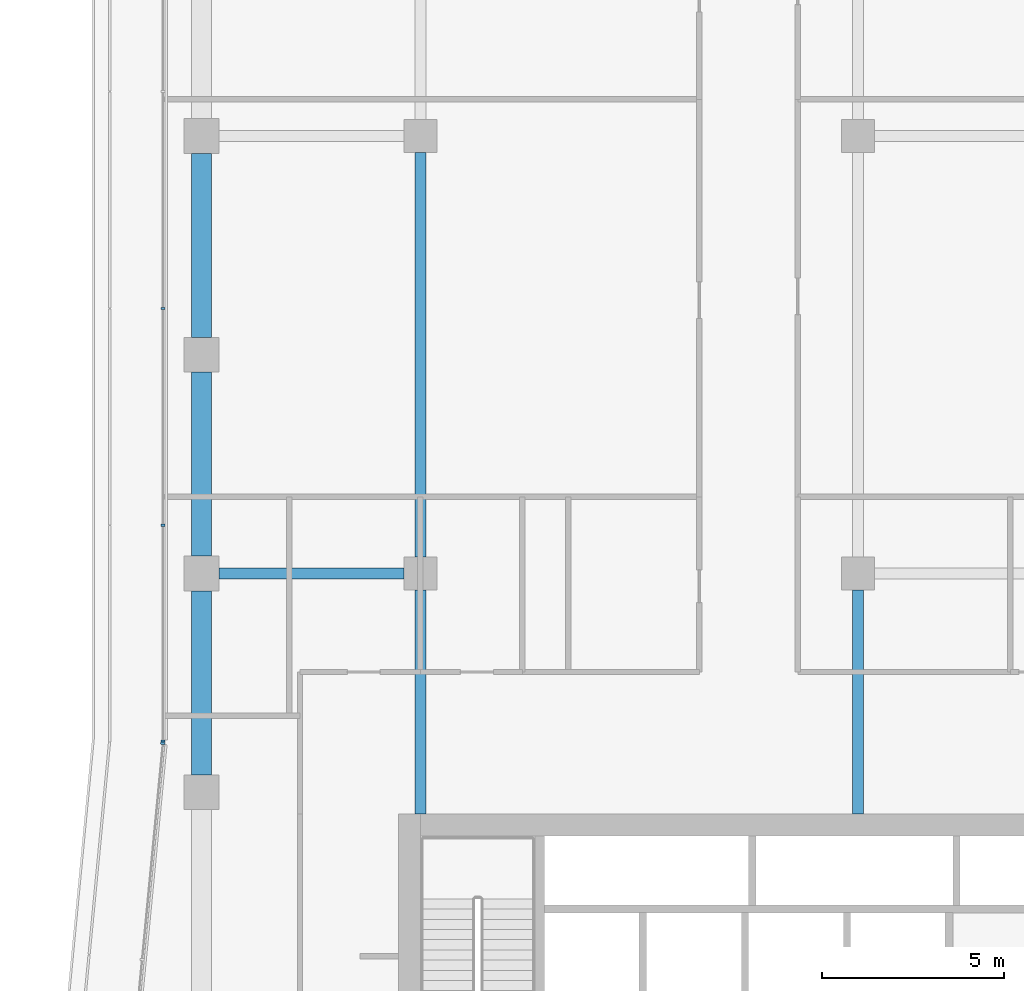
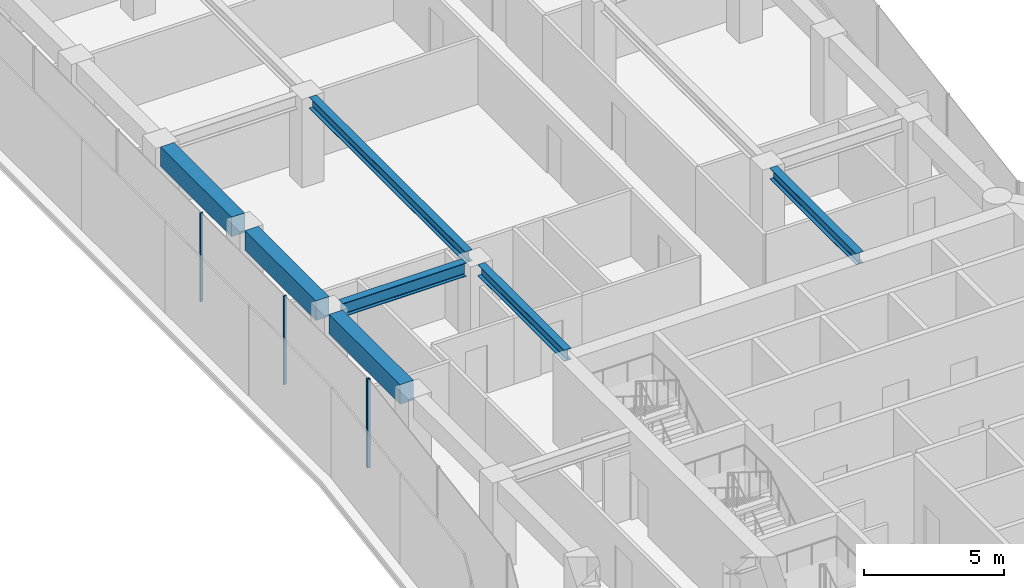
# One storey, part 8 of 23: 7 beams, 4 members, 2 elements without a shape of their own.
"""IFC4 building model written with IfcOpenShell, lengths in metres."""

from ifc_helpers import new_model, si_unit, direction, frame, origin, origin_2d, place, context, subcontext, project, spatial, rectangle, i_section, extrude, material, layer, layer_set, material_profile, profile_set, type_object, element, aggregate, save


model = new_model("IFC4")

# Units and contexts
model_context = context("Model", 3, precision=1e-05, world=origin(), true_north=direction((0.0, 1.0)))
body_context = subcontext(model_context, "Body", "Model", "MODEL_VIEW")
ifc_project = project(units=[si_unit("LENGTHUNIT", "METRE"), si_unit("AREAUNIT", "SQUARE_METRE"), si_unit("VOLUMEUNIT", "CUBIC_METRE"), si_unit("PLANEANGLEUNIT", "RADIAN"), si_unit("MASSUNIT", "GRAM", prefix="KILO")], contexts=[model_context])

# Site, building, storey
site_placement = place(None, origin())
site = spatial("IfcSite", under=ifc_project, at=site_placement, CompositionType="ELEMENT")
building_placement = place(site_placement, origin())
building = spatial("IfcBuilding", under=site, at=building_placement, Name="Welwitschia Terrace Campus", CompositionType="ELEMENT")
storey_placement = place(building_placement, frame((0.0, 0.0, 146.60009765625)))
storey = spatial("IfcBuildingStorey", under=building, at=storey_placement, Name="L32", CompositionType="ELEMENT", Elevation=146.60009765625)

# Beams
ifc_material_1 = material(Name="Steel S355", Category="steel")
ifc_material_profile_1 = material_profile(ifc_material_1, i_section(OverallWidth=0.300048828125, OverallDepth=0.489990234375, WebThickness=0.011962890625, FlangeThickness=0.02294921875, FilletRadius=0.027099609375, at=origin_2d()))
ifc_profile_set_1 = profile_set([ifc_material_profile_1], Name="Steel S355")
beam_type_1 = type_object("IfcBeamType", Name="Interior girder HE 500 A", PredefinedType="BEAM", material=ifc_profile_set_1)
beam_1_placement = place(storey_placement, frame((6.0, 25.40087890625, 3.60498046875), z_axis=(0.0, 1.0, 0.0), x_axis=(-1.0, 0.0, 0.0)))
element("IfcBeam", 1, at=beam_1_placement, inside=storey, type_object=beam_type_1, Name="Girder GB4", PredefinedType="BEAM", context=body_context, shape_type="SweptSolid", body=[
    extrude(i_section(OverallWidth=0.300048828125, OverallDepth=0.489990234375, WebThickness=0.011962890625, FlangeThickness=0.02294921875, FilletRadius=0.027099609375, at=origin_2d()), origin(), (0.0, 0.0, 1.0), 6.148681640625),
])
beam_2_placement = place(storey_placement, frame((6.0, 32.450439453125, 3.60498046875), z_axis=(0.0, 1.0, 0.0), x_axis=(-1.0, 0.0, 0.0)))
element("IfcBeam", 2, at=beam_2_placement, inside=storey, type_object=beam_type_1, Name="Girder GB4", PredefinedType="BEAM", context=body_context, shape_type="SweptSolid", body=[
    extrude(i_section(OverallWidth=0.300048828125, OverallDepth=0.489990234375, WebThickness=0.011962890625, FlangeThickness=0.02294921875, FilletRadius=0.027099609375, at=origin_2d()), origin(), (0.0, 0.0, 1.0), 11.09912109375),
])
beam_3_placement = place(storey_placement, frame((18.0, 25.40087890625, 3.60498046875), z_axis=(0.0, 1.0, 0.0), x_axis=(-1.0, 0.0, 0.0)))
element("IfcBeam", 3, at=beam_3_placement, inside=storey, type_object=beam_type_1, Name="Girder GB4", PredefinedType="BEAM", context=body_context, shape_type="SweptSolid", body=[
    extrude(i_section(OverallWidth=0.300048828125, OverallDepth=0.489990234375, WebThickness=0.011962890625, FlangeThickness=0.02294921875, FilletRadius=0.027099609375, at=origin_2d()), origin(), (0.0, 0.0, 1.0), 6.148681640625),
])

# Curtain wall, members
ifc_material_2 = material(Name="Bronze anodised aluminium", Category="aluminium")
ifc_layer = layer(ifc_material_2, 0.1201171875)
ifc_layer_set = layer_set([ifc_layer], Name="Bronze anodised aluminium")
curtain_wall_type = type_object("IfcCurtainWallType", Name="Curtain wall CW2 tower 6000", PredefinedType="NOTDEFINED", material=ifc_layer_set)
curtain_wall_1_placement = place(storey_placement, origin())
curtain_wall_1 = element("IfcCurtainWall", 4, at=curtain_wall_1_placement, inside=storey, type_object=curtain_wall_type, Name="CW L32.0.0", PredefinedType="NOTDEFINED")
ifc_material_3 = material(Name="Bronze anodised aluminium", Category="aluminium")
ifc_material_profile_2 = material_profile(ifc_material_3, rectangle(XDim=0.1201171875, YDim=0.06005859375, at=origin_2d()))
ifc_profile_set_2 = profile_set([ifc_material_profile_2], Name="Bronze anodised aluminium")
member_type = type_object("IfcMemberType", Name="Mullion 60x120", PredefinedType="MULLION", material=ifc_profile_set_2)
member_1_placement = place(storey_placement, frame((-1.05810546875, 39.269287109375, 0.0), z_axis=(0.0, 0.0, 1.0), x_axis=(1.0, 0.0, 0.0)))
member_1 = element("IfcMember", 5, at=member_1_placement, type_object=member_type, Name="Mullion L32.0.0.4", PredefinedType="MULLION", context=body_context, shape_type="SweptSolid", body=[
    extrude(rectangle(XDim=0.1201171875, YDim=0.06005859375, at=origin_2d()), origin(), (0.0, 0.0, 1.0), 3.849853515625),
])
member_2_placement = place(storey_placement, frame((-1.05810546875, 33.322021484375, 0.0), z_axis=(0.0, 0.0, 1.0), x_axis=(1.0, 0.0, 0.0)))
member_2 = element("IfcMember", 6, at=member_2_placement, type_object=member_type, Name="Mullion L32.0.0.5", PredefinedType="MULLION", context=body_context, shape_type="SweptSolid", body=[
    extrude(rectangle(XDim=0.1201171875, YDim=0.06005859375, at=origin_2d()), origin(), (0.0, 0.0, 1.0), 3.849853515625),
])
member_3_placement = place(storey_placement, frame((-1.05810546875, 27.40478515625, 0.0), z_axis=(0.0, 0.0, 1.0), x_axis=(1.0, 0.0, 0.0)))
member_3 = element("IfcMember", 7, at=member_3_placement, type_object=member_type, Name="Mullion L32.0.0.6", PredefinedType="MULLION", context=body_context, shape_type="SweptSolid", body=[
    extrude(rectangle(XDim=0.1201171875, YDim=0.06005859375, at=origin_2d()), origin(), (0.0, 0.0, 1.0), 3.849853515625),
])
aggregate(curtain_wall_1, [member_1, member_2, member_3])

# Curtain wall, member
curtain_wall_2_placement = place(storey_placement, origin())
curtain_wall_2 = element("IfcCurtainWall", 8, at=curtain_wall_2_placement, inside=storey, type_object=curtain_wall_type, Name="CW L32.1.0", PredefinedType="NOTDEFINED")
member_4_placement = place(storey_placement, frame((-1.060791015625, 27.344970703125, 0.0), z_axis=(0.0, 0.0, 1.0), x_axis=(0.995396198367, -0.09584575252, 0.0)))
member_4 = element("IfcMember", 9, at=member_4_placement, type_object=member_type, Name="Mullion L32.1.0.0", PredefinedType="MULLION", context=body_context, shape_type="SweptSolid", body=[
    extrude(rectangle(XDim=0.1201171875, YDim=0.06005859375, at=origin_2d()), origin(), (0.0, 0.0, 1.0), 3.849853515625),
])
aggregate(curtain_wall_2, [member_4])

# Beams
ifc_material_4 = material(Name="Steel S355", Category="steel")
ifc_material_profile_3 = material_profile(ifc_material_4, i_section(OverallWidth=0.300048828125, OverallDepth=0.590087890625, WebThickness=0.012939453125, FlangeThickness=0.02490234375, FilletRadius=0.027099609375, at=origin_2d()))
ifc_profile_set_3 = profile_set([ifc_material_profile_3], Name="Steel S355")
beam_type_2 = type_object("IfcBeamType", Name="Primary beam HE 600 A", PredefinedType="BEAM", material=ifc_profile_set_3)
beam_4_placement = place(storey_placement, frame((0.4755859375, 32.0, 3.554931640625), z_axis=(1.0, 0.0, 0.0), x_axis=(0.0, 1.0, 0.0)))
element("IfcBeam", 10, at=beam_4_placement, inside=storey, type_object=beam_type_2, Name="Primary beam PB4", PredefinedType="BEAM", context=body_context, shape_type="SweptSolid", body=[
    extrude(i_section(OverallWidth=0.300048828125, OverallDepth=0.590087890625, WebThickness=0.012939453125, FlangeThickness=0.02490234375, FilletRadius=0.027099609375, at=origin_2d()), origin(), (0.0, 0.0, 1.0), 5.073974609375),
])
ifc_material_5 = material(Name="Concrete C50/60", Category="concrete")
ifc_material_profile_4 = material_profile(ifc_material_5, rectangle(XDim=0.550048828125, YDim=0.85009765625, at=origin_2d()))
ifc_profile_set_4 = profile_set([ifc_material_profile_4], Name="Concrete C50/60")
beam_type_3 = type_object("IfcBeamType", Name="Ring spandrel 550x850", PredefinedType="SPANDREL", material=ifc_profile_set_4)
for number, where, z_axis, x_axis, name in (
    (11, (0.0, 43.5244140625, 3.4248046875), (0.0, -1.0, 0.0), (1.0, 0.0, 0.0), "Spandrel SP3"),
    (12, (0.0, 37.5244140625, 3.4248046875), (0.0, -1.0, 0.0), (1.0, 0.0, 0.0), "Spandrel SP3"),
    (13, (0.0, 31.5244140625, 3.4248046875), (0.0, -1.0, 0.0), (1.0, 0.0, 0.0), "Spandrel SP3"),
):
    element("IfcBeam", number, at=place(storey_placement, frame(where, z_axis=z_axis, x_axis=x_axis)), inside=storey, type_object=beam_type_3, Name=name, PredefinedType="SPANDREL", context=body_context, shape_type="SweptSolid", body=[
        extrude(rectangle(XDim=0.550048828125, YDim=0.85009765625, at=origin_2d()), origin(), (0.0, 0.0, 1.0), 5.048828125),
    ])

save(model, "model.ifc")
